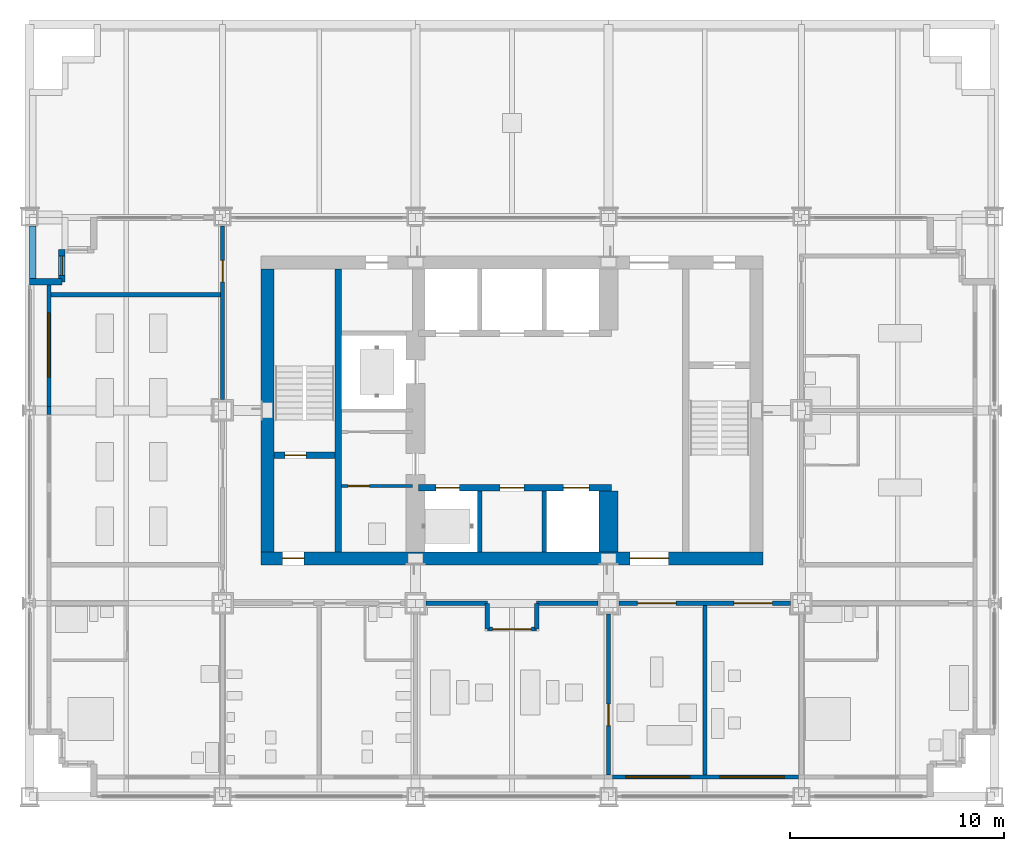
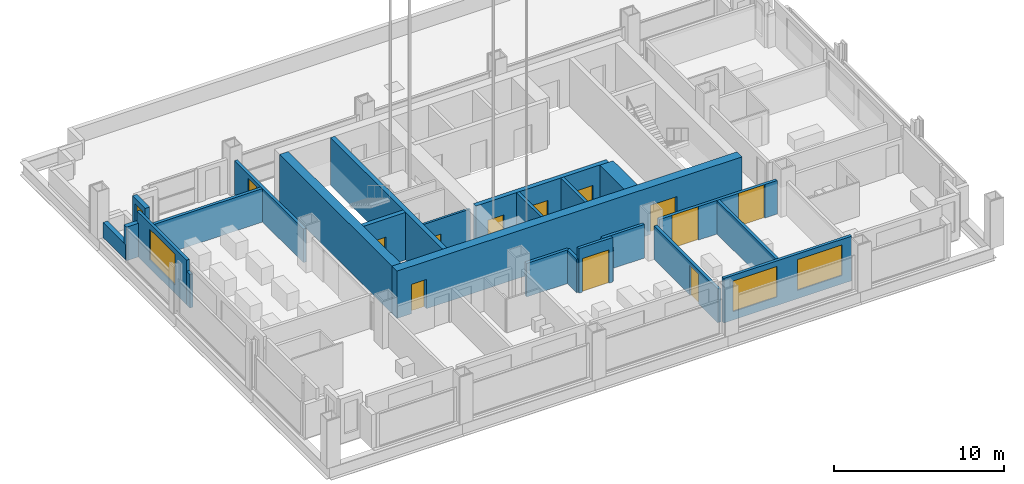
# One storey, part 8 of 15: 25 walls, 12 doors, 4 windows, 16 openings.
"""IFC4 building model written with IfcOpenShell, lengths in metres."""

import ifcopenshell
import ifcopenshell.guid

model = None  # the IFC model being written
_history = None  # IfcOwnerHistory: only IFC2X3 demands one
_inside = {}  # id of a spatial element -> (the spatial element, [elements in it])
_under = {}  # id of a project, library or spatial element -> (it, [spatial elements below it])
_declared = {}  # id of a project -> (the project, [libraries it declares])
_typed = {}  # id of a type object -> (the type object, [elements of that type])
_made_of = {}  # id of a material, layer set ... -> (it, [elements and type objects made of it])


def new_model(schema):
    """Start an empty IFC model of exactly this schema.

    Asked for "IFC4X3", IfcOpenShell would pick the latest addendum, in which some entities
    have other attributes; the version numbers below select the first issue.
    IFC2X3 requires an IfcOwnerHistory on every rooted entity: one is made here for all.
    """
    global model, _history
    if schema == "IFC4X3":
        model = ifcopenshell.file(schema_version=(4, 3, 0, 0))
    else:
        model = ifcopenshell.file(schema=schema)
    _inside.clear()
    _under.clear()
    _declared.clear()
    _typed.clear()
    _made_of.clear()
    _history = None
    if model.schema == "IFC2X3":
        org = make("IfcOrganization", Name="unknown")
        user = make(
            "IfcPersonAndOrganization",
            ThePerson=make("IfcPerson", FamilyName="unknown"),
            TheOrganization=org,
        )
        app = make(
            "IfcApplication",
            ApplicationDeveloper=org,
            Version="unknown",
            ApplicationFullName="unknown",
            ApplicationIdentifier="unknown",
        )
        _history = make(
            "IfcOwnerHistory",
            OwningUser=user,
            OwningApplication=app,
            ChangeAction="ADDED",
            CreationDate=0,
        )
    return model


def make(cls, **values):
    """One entity of the class cls with the attributes given. An attribute that is None is left unset."""
    return model.create_entity(
        cls, **{name: value for name, value in values.items() if value is not None}
    )


def rooted(cls, **values):
    """An entity with a GlobalId (a new one), such as an element, a storey or a relation."""
    return make(cls, GlobalId=ifcopenshell.guid.new(), OwnerHistory=_history, **values)


def si_unit(unit_type, name, prefix=None):
    """IfcSIUnit, for example si_unit("LENGTHUNIT", "METRE", prefix="MILLI")."""
    return make("IfcSIUnit", UnitType=unit_type, Prefix=prefix, Name=name)


def assignment(units):
    """IfcUnitAssignment: the units of a project."""
    return None if units is None else make("IfcUnitAssignment", Units=units)


def point(xyz):
    """IfcCartesianPoint."""
    return None if xyz is None else make("IfcCartesianPoint", Coordinates=xyz)


def direction(xyz):
    """IfcDirection."""
    return None if xyz is None else make("IfcDirection", DirectionRatios=xyz)


def frame(location, z_axis=None, x_axis=None):
    """IfcAxis2Placement3D, a coordinate frame: its origin and axes. An axis left out is left unset."""
    return make(
        "IfcAxis2Placement3D",
        Location=point(location),
        Axis=direction(z_axis),
        RefDirection=direction(x_axis),
    )


def frame_2d(location, x_axis=None):
    """IfcAxis2Placement2D, a coordinate frame in the plane: its origin and x axis."""
    return make(
        "IfcAxis2Placement2D", Location=point(location), RefDirection=direction(x_axis)
    )


def origin():
    """The frame at (0, 0, 0) with its axes left unset."""
    return frame((0.0, 0.0, 0.0))


def place(relative_to, where):
    """IfcLocalPlacement: puts the frame where relative to a parent placement (None: the world)."""
    return make(
        "IfcLocalPlacement", PlacementRelTo=relative_to, RelativePlacement=where
    )


def context(
    kind, dimensions, precision=None, world=None, true_north=None, identifier=None
):
    """IfcGeometricRepresentationContext, for example the 3D "Model" context."""
    return make(
        "IfcGeometricRepresentationContext",
        ContextIdentifier=identifier,
        ContextType=kind,
        CoordinateSpaceDimension=dimensions,
        Precision=precision,
        WorldCoordinateSystem=world,
        TrueNorth=true_north,
    )


def subcontext(parent, identifier, kind, view, scale=None):
    """IfcGeometricRepresentationSubContext, for example "Body" below "Model"."""
    return make(
        "IfcGeometricRepresentationSubContext",
        ContextIdentifier=identifier,
        ContextType=kind,
        ParentContext=parent,
        TargetScale=scale,
        TargetView=view,
    )


def project(units=None, contexts=None):
    """IfcProject with its units and contexts."""
    return rooted(
        "IfcProject",
        Name="project",
        RepresentationContexts=contexts,
        UnitsInContext=assignment(units),
    )


def spatial(cls, under=None, at=None, **own):
    """A site, building, storey or space (cls), placed at a placement, below another one or the project."""
    s = rooted(cls, ObjectPlacement=at, **own)
    if under is not None:
        _under.setdefault(under.id(), (under, []))[1].append(s)
    return s


def profile(cls, at=None, kind="AREA", **sizes):
    """A parametric profile (cls). Its sizes go by their IFC names, for example OverallWidth=200.0."""
    return make(cls, ProfileType=kind, Position=at, **sizes)


def rectangle(**sizes):
    """IfcRectangleProfileDef."""
    return profile("IfcRectangleProfileDef", **sizes)


def extrude(swept, where, along, depth):
    """IfcExtrudedAreaSolid: the profile swept, set in the frame where, extruded along a direction by depth."""
    return make(
        "IfcExtrudedAreaSolid",
        SweptArea=swept,
        Position=where,
        ExtrudedDirection=direction(along),
        Depth=depth,
    )


def shape(context_of_items, identifier, shape_type, items):
    """IfcShapeRepresentation: the items that make up one representation, for example the "Body"."""
    return make(
        "IfcShapeRepresentation",
        ContextOfItems=context_of_items,
        RepresentationIdentifier=identifier,
        RepresentationType=shape_type,
        Items=items,
    )


def material(Name=None, Category=None):
    """IfcMaterial."""
    return make("IfcMaterial", Name=Name, Category=Category)


def layer(
    of_material, thickness, ventilated=None, Name=None, Category=None, Priority=None
):
    """IfcMaterialLayer: one layer of a wall or slab, of a material (None: an air gap)."""
    return make(
        "IfcMaterialLayer",
        Material=of_material,
        LayerThickness=thickness,
        IsVentilated=ventilated,
        Name=Name,
        Category=Category,
        Priority=Priority,
    )


def layer_set(layers, Name=None):
    """IfcMaterialLayerSet."""
    return make("IfcMaterialLayerSet", MaterialLayers=layers, LayerSetName=Name)


def made_of(thing, what):
    """Note that an element or type object is made of a material, layer set ...; save() writes the relation."""
    if what is not None:
        _made_of.setdefault(what.id(), (what, []))[1].append(thing)
    return thing


def type_object(cls, material=None, **own):
    """A type object (cls), such as IfcWallType, which elements share."""
    return made_of(rooted(cls, **own), material)


def element(
    cls,
    number,
    at=None,
    inside=None,
    cuts=None,
    type_object=None,
    material=None,
    context=None,
    identifier="Body",
    shape_type=None,
    held_by="IfcProductDefinitionShape",
    body=None,
    shapes=None,
    **own,
):
    """One element of the class cls, such as IfcWall. Its Tag is "e" and its number.

    at: its placement. inside: the storey or other place that contains it. cuts: it is an
    opening in that element (IfcRelVoidsElement). A single representation is given by context,
    identifier, shape_type and body (its items); several are given by shapes. held_by: the class
    of the entity that holds the representations. save() writes the other relations.
    """
    e = rooted(cls, Tag="e%d" % number, ObjectPlacement=at, **own)
    if body is not None:
        shapes = [shape(context, identifier, shape_type, body)]
    if shapes is not None:
        e.Representation = make(held_by, Representations=shapes)
    if inside is not None:
        _inside.setdefault(inside.id(), (inside, []))[1].append(e)
    if cuts is not None:
        rooted(
            "IfcRelVoidsElement", RelatingBuildingElement=cuts, RelatedOpeningElement=e
        )
    if type_object is not None:
        _typed.setdefault(type_object.id(), (type_object, []))[1].append(e)
    return made_of(e, material)


def fill(opening, filler):
    """IfcRelFillsElement: the door or window that sits in an opening."""
    return rooted(
        "IfcRelFillsElement",
        RelatingOpeningElement=opening,
        RelatedBuildingElement=filler,
    )


def aggregate(whole, parts):
    """IfcRelAggregates: a whole, such as a stair, and the parts it consists of."""
    return rooted("IfcRelAggregates", RelatingObject=whole, RelatedObjects=parts)


def save(model, path):
    """Write the relations noted so far, then the file.

    IfcRelAggregates (storeys below a building ...), IfcRelContainedInSpatialStructure (elements
    in a storey), IfcRelDefinesByType, IfcRelAssociatesMaterial and IfcRelDeclares: one each for
    every whole, place, type object, material and project.
    """
    for whole, parts in _under.values():
        aggregate(whole, parts)
    for where, things in _inside.values():
        rooted(
            "IfcRelContainedInSpatialStructure",
            RelatedElements=things,
            RelatingStructure=where,
        )
    for kind, things in _typed.values():
        rooted("IfcRelDefinesByType", RelatedObjects=things, RelatingType=kind)
    for what, things in _made_of.values():
        rooted("IfcRelAssociatesMaterial", RelatedObjects=things, RelatingMaterial=what)
    for by, libraries in _declared.values():
        rooted("IfcRelDeclares", RelatingContext=by, RelatedDefinitions=libraries)
    model.write(path)


model = new_model("IFC4")

# Units and contexts
model_context = context("Model", 3, precision=1e-05, world=origin(), true_north=direction((0.0, 1.0)))
body_context = subcontext(model_context, "Body", "Model", "MODEL_VIEW")
ifc_project = project(units=[si_unit("LENGTHUNIT", "METRE"), si_unit("AREAUNIT", "SQUARE_METRE"), si_unit("VOLUMEUNIT", "CUBIC_METRE"), si_unit("PLANEANGLEUNIT", "RADIAN"), si_unit("MASSUNIT", "GRAM", prefix="KILO")], contexts=[model_context])

# Site, building, storey
site_placement = place(None, origin())
site = spatial("IfcSite", under=ifc_project, at=site_placement, CompositionType="ELEMENT")
building_placement = place(site_placement, origin())
building = spatial("IfcBuilding", under=site, at=building_placement, Name="Loomwork Tower", CompositionType="ELEMENT")
storey_placement = place(building_placement, frame((0.0, 0.0, 160.39990234375)))
storey = spatial("IfcBuildingStorey", under=building, at=storey_placement, Name="L43", CompositionType="ELEMENT", Elevation=160.39990234375)

# Wall
ifc_material_1 = material(Name="Concrete 14000 psi (97 MPa)", Category="concrete")
ifc_layer_1 = layer(ifc_material_1, 0.300048828125)
ifc_layer_set_1 = layer_set([ifc_layer_1], Name="Core shear wall 300")
wall_type_1 = type_object("IfcWallType", Name="Core shear wall 300", PredefinedType="SHEAR", material=ifc_layer_set_1)
wall_1_placement = place(storey_placement, frame((14.39990234375, 11.39990234375, 0.0), z_axis=(0.0, 0.0, 1.0), x_axis=(0.0, 1.0, 0.0)))
element("IfcWall", 1, at=wall_1_placement, inside=storey, type_object=wall_type_1, Name="Stair A east wall L43", PredefinedType="SHEAR", context=body_context, shape_type="SweptSolid", body=[
    extrude(rectangle(XDim=13.2001953125, YDim=0.300048828125, at=frame_2d((6.60009765625, 0.0))), origin(), (0.0, 0.0, 1.0), 3.400146484375),
])

# Wall, opening, door
wall_2_placement = place(storey_placement, frame((11.39990234375, 15.89990234375, 0.0), z_axis=(0.0, 0.0, 1.0), x_axis=(1.0, 0.0, 0.0)))
wall_2 = element("IfcWall", 2, at=wall_2_placement, inside=storey, type_object=wall_type_1, Name="Stair A south wall L43", PredefinedType="SHEAR", context=body_context, shape_type="SweptSolid", body=[
    extrude(rectangle(XDim=2.85009765625, YDim=0.300048828125, at=frame_2d((1.425048828125, 0.0))), origin(), (0.0, 0.0, 1.0), 3.400146484375),
])
opening_1_placement = place(wall_2_placement, frame((0.5, 0.0, 0.0)))
opening_1 = element("IfcOpeningElement", 3, at=opening_1_placement, cuts=wall_2, Name="Opening D4", PredefinedType="OPENING", context=body_context, shape_type="SweptSolid", body=[
    extrude(rectangle(XDim=1.0, YDim=2.10009765625, at=frame_2d((0.5, 1.050048828125))), frame((0.0, 0.159912109375, 0.0), z_axis=(0.0, -1.0, 0.0), x_axis=(1.0, 0.0, 0.0)), (0.0, 0.0, 1.0), 0.320068359375),
])
ifc_material_2 = material(Name="Hollow metal door and frame")
door_type_1 = type_object("IfcDoorType", Name="Stair door 1000", OperationType="SINGLE_SWING_RIGHT", PredefinedType="DOOR", material=ifc_material_2)
door_1_placement = place(opening_1_placement, origin())
door_1 = element("IfcDoor", 4, at=door_1_placement, inside=storey, type_object=door_type_1, Name="Stair A door", OperationType="SINGLE_SWING_LEFT", OverallHeight=2.10009765625, OverallWidth=1.0, PredefinedType="DOOR", context=body_context, shape_type="SweptSolid", body=[
    extrude(rectangle(XDim=1.0, YDim=2.10009765625, at=frame_2d((0.5, 1.050048828125))), frame((0.0, 0.02490234375, 0.0), z_axis=(0.0, -1.0, 0.0), x_axis=(1.0, 0.0, 0.0)), (0.0, 0.0, 1.0), 0.050048828125),
])
fill(opening_1, door_1)

# Wall, openings, doors
wall_3_placement = place(storey_placement, frame((18.14990234375, 14.39990234375, 0.0), z_axis=(0.0, 0.0, 1.0), x_axis=(1.0, 0.0, 0.0)))
wall_3 = element("IfcWall", 5, at=wall_3_placement, inside=storey, type_object=wall_type_1, Name="Lift front wall south L43", PredefinedType="SHEAR", context=body_context, shape_type="SweptSolid", body=[
    extrude(rectangle(XDim=9.0, YDim=0.300048828125, at=frame_2d((4.5, 0.0))), origin(), (0.0, 0.0, 1.0), 3.400146484375),
])
opening_2_placement = place(wall_3_placement, frame((0.800048828125, 0.0, 0.0)))
opening_2 = element("IfcOpeningElement", 6, at=opening_2_placement, cuts=wall_3, Name="Opening LD1", PredefinedType="OPENING", context=body_context, shape_type="SweptSolid", body=[
    extrude(rectangle(XDim=1.10009765625, YDim=2.10009765625, at=frame_2d((0.550048828125, 1.050048828125))), frame((0.0, 0.159912109375, 0.0), z_axis=(0.0, -1.0, 0.0), x_axis=(1.0, 0.0, 0.0)), (0.0, 0.0, 1.0), 0.320068359375),
])
opening_3_placement = place(wall_3_placement, frame((6.75, 0.0, 0.0)))
opening_3 = element("IfcOpeningElement", 7, at=opening_3_placement, cuts=wall_3, Name="Opening LD2", PredefinedType="OPENING", context=body_context, shape_type="SweptSolid", body=[
    extrude(rectangle(XDim=1.199951171875, YDim=2.10009765625, at=frame_2d((0.60009765625, 1.050048828125))), frame((0.0, 0.159912109375, 0.0), z_axis=(0.0, -1.0, 0.0), x_axis=(1.0, 0.0, 0.0)), (0.0, 0.0, 1.0), 0.320068359375),
])
opening_4_placement = place(wall_3_placement, frame((3.800048828125, 0.0, 0.0)))
opening_4 = element("IfcOpeningElement", 8, at=opening_4_placement, cuts=wall_3, Name="Opening D17", PredefinedType="OPENING", context=body_context, shape_type="SweptSolid", body=[
    extrude(rectangle(XDim=1.10009765625, YDim=2.10009765625, at=frame_2d((0.550048828125, 1.050048828125))), frame((0.0, 0.159912109375, 0.0), z_axis=(0.0, -1.0, 0.0), x_axis=(1.0, 0.0, 0.0)), (0.0, 0.0, 1.0), 0.320068359375),
])
ifc_material_3 = material(Name="Hollow metal door and frame")
door_type_2 = type_object("IfcDoorType", Name="Lift landing door 1100", OperationType="SLIDING_TO_LEFT", PredefinedType="DOOR", material=ifc_material_3)
door_2_placement = place(opening_2_placement, origin())
door_2 = element("IfcDoor", 9, at=door_2_placement, inside=storey, type_object=door_type_2, Name="Lift landing door LC1", OperationType="SLIDING_TO_LEFT", OverallHeight=2.10009765625, OverallWidth=1.10009765625, PredefinedType="DOOR", context=body_context, shape_type="SweptSolid", body=[
    extrude(rectangle(XDim=1.10009765625, YDim=2.10009765625, at=frame_2d((0.550048828125, 1.050048828125))), frame((0.0, 0.02490234375, 0.0), z_axis=(0.0, -1.0, 0.0), x_axis=(1.0, 0.0, 0.0)), (0.0, 0.0, 1.0), 0.050048828125),
])
fill(opening_2, door_2)
ifc_material_4 = material(Name="Hollow metal door and frame")
door_type_3 = type_object("IfcDoorType", Name="Lift landing door 1200", OperationType="SLIDING_TO_LEFT", PredefinedType="DOOR", material=ifc_material_4)
door_3_placement = place(opening_3_placement, origin())
door_3 = element("IfcDoor", 10, at=door_3_placement, inside=storey, type_object=door_type_3, Name="Lift landing door LF1", OperationType="SLIDING_TO_LEFT", OverallHeight=2.10009765625, OverallWidth=1.199951171875, PredefinedType="DOOR", context=body_context, shape_type="SweptSolid", body=[
    extrude(rectangle(XDim=1.199951171875, YDim=2.10009765625, at=frame_2d((0.60009765625, 1.050048828125))), frame((0.0, 0.02490234375, 0.0), z_axis=(0.0, -1.0, 0.0), x_axis=(1.0, 0.0, 0.0)), (0.0, 0.0, 1.0), 0.050048828125),
])
fill(opening_3, door_3)
ifc_material_5 = material(Name="Hollow metal door and frame")
door_type_4 = type_object("IfcDoorType", Name="Service room door 1100", OperationType="SINGLE_SWING_LEFT", PredefinedType="DOOR", material=ifc_material_5)
door_4_placement = place(opening_4_placement, frame((1.10009765625, 0.0, 0.0), z_axis=(0.0, 0.0, 1.0), x_axis=(-1.0, 0.0, 0.0)))
door_4 = element("IfcDoor", 11, at=door_4_placement, inside=storey, type_object=door_type_4, Name="Housekeeping store door L43", OperationType="SINGLE_SWING_RIGHT", OverallHeight=2.10009765625, OverallWidth=1.10009765625, PredefinedType="DOOR", context=body_context, shape_type="SweptSolid", body=[
    extrude(rectangle(XDim=1.10009765625, YDim=2.10009765625, at=frame_2d((0.550048828125, 1.050048828125))), frame((0.0, 0.02490234375, 0.0), z_axis=(0.0, -1.0, 0.0), x_axis=(1.0, 0.0, 0.0)), (0.0, 0.0, 1.0), 0.050048828125),
])
fill(opening_4, door_4)

ifc_material_6 = material(Name="Concrete 14000 psi (97 MPa)", Category="concrete")
ifc_layer_2 = layer(ifc_material_6, 0.60009765625)
ifc_layer_set_2 = layer_set([ifc_layer_2], Name="Core shear wall 600")
wall_type_2 = type_object("IfcWallType", Name="Core shear wall 600", PredefinedType="SHEAR", material=ifc_layer_set_2)
wall_4_placement = place(storey_placement, frame((10.800048828125, 11.10009765625, 0.0), z_axis=(0.0, 0.0, 1.0), x_axis=(1.0, 0.0, 0.0)))
wall_4 = element("IfcWall", 12, at=wall_4_placement, inside=storey, type_object=wall_type_2, Name="Core wall south L43", PredefinedType="SHEAR", context=body_context, shape_type="SweptSolid", body=[
    extrude(rectangle(XDim=23.39990234375, YDim=0.60009765625, at=frame_2d((11.699951171875, 0.0))), origin(), (0.0, 0.0, 1.0), 3.400146484375),
])
opening_5_placement = place(wall_4_placement, frame((1.0, 0.0, 0.0)))
opening_5 = element("IfcOpeningElement", 13, at=opening_5_placement, cuts=wall_4, Name="Opening D4", PredefinedType="OPENING", context=body_context, shape_type="SweptSolid", body=[
    extrude(rectangle(XDim=1.0, YDim=2.10009765625, at=frame_2d((0.5, 1.050048828125))), frame((0.0, 0.31005859375, 0.0), z_axis=(0.0, -1.0, 0.0), x_axis=(1.0, 0.0, 0.0)), (0.0, 0.0, 1.0), 0.6201171875),
])
opening_6_placement = place(wall_4_placement, frame((17.199951171875, 0.0, 0.0)))
opening_6 = element("IfcOpeningElement", 14, at=opening_6_placement, cuts=wall_4, Name="Opening D6", PredefinedType="OPENING", context=body_context, shape_type="SweptSolid", body=[
    extrude(rectangle(XDim=1.800048828125, YDim=2.10009765625, at=frame_2d((0.89990234375, 1.050048828125))), frame((0.0, 0.31005859375, 0.0), z_axis=(0.0, -1.0, 0.0), x_axis=(1.0, 0.0, 0.0)), (0.0, 0.0, 1.0), 0.6201171875),
])
ifc_material_7 = material(Name="Hollow metal door and frame")
door_type_5 = type_object("IfcDoorType", Name="Lobby passage double door 1800", OperationType="DOUBLE_DOOR_SINGLE_SWING", PredefinedType="DOOR", material=ifc_material_7)
door_5_placement = place(opening_6_placement, origin())
door_5 = element("IfcDoor", 15, at=door_5_placement, inside=storey, type_object=door_type_5, Name="Lobby passage door south", OperationType="DOUBLE_DOOR_SINGLE_SWING", OverallHeight=2.10009765625, OverallWidth=1.800048828125, PredefinedType="DOOR", context=body_context, shape_type="SweptSolid", body=[
    extrude(rectangle(XDim=1.800048828125, YDim=2.10009765625, at=frame_2d((0.89990234375, 1.050048828125))), frame((0.0, 0.02490234375, 0.0), z_axis=(0.0, -1.0, 0.0), x_axis=(1.0, 0.0, 0.0)), (0.0, 0.0, 1.0), 0.050048828125),
])
fill(opening_6, door_5)
door_6_placement = place(opening_5_placement, origin())
door_6 = element("IfcDoor", 16, at=door_6_placement, inside=storey, type_object=door_type_1, Name="Stair A vestibule door", OperationType="SINGLE_SWING_LEFT", OverallHeight=2.10009765625, OverallWidth=1.0, PredefinedType="DOOR", context=body_context, shape_type="SweptSolid", body=[
    extrude(rectangle(XDim=1.0, YDim=2.10009765625, at=frame_2d((0.5, 1.050048828125))), frame((0.0, 0.02490234375, 0.0), z_axis=(0.0, -1.0, 0.0), x_axis=(1.0, 0.0, 0.0)), (0.0, 0.0, 1.0), 0.050048828125),
])
fill(opening_5, door_6)

# Walls
wall_5_placement = place(storey_placement, frame((11.10009765625, 11.39990234375, 0.0), z_axis=(0.0, 0.0, 1.0), x_axis=(0.0, 1.0, 0.0)))
element("IfcWall", 17, at=wall_5_placement, inside=storey, type_object=wall_type_2, Name="Core wall west L43", PredefinedType="SHEAR", context=body_context, shape_type="SweptSolid", body=[
    extrude(rectangle(XDim=13.2001953125, YDim=0.60009765625, at=frame_2d((6.60009765625, 0.0))), origin(), (0.0, 0.0, 1.0), 3.400146484375),
])
ifc_material_8 = material(Name="Concrete 14000 psi (97 MPa)", Category="concrete")
ifc_layer_3 = layer(ifc_material_8, 0.89990234375)
ifc_layer_set_3 = layer_set([ifc_layer_3], Name="Core shear wall 900")
wall_type_3 = type_object("IfcWallType", Name="Core shear wall 900", PredefinedType="SHEAR", material=ifc_layer_set_3)
wall_6_placement = place(storey_placement, frame((27.0, 11.39990234375, 0.0), z_axis=(0.0, 0.0, 1.0), x_axis=(0.0, 1.0, 0.0)))
element("IfcWall", 18, at=wall_6_placement, inside=storey, type_object=wall_type_3, Name="Lift shaft end wall south L43", PredefinedType="SHEAR", context=body_context, shape_type="SweptSolid", body=[
    extrude(rectangle(XDim=2.85009765625, YDim=0.89990234375, at=frame_2d((1.425048828125, 0.0))), origin(), (0.0, 0.0, 1.0), 3.400146484375),
])
ifc_material_9 = material(Name="Gypsum board on steel studs, one-hour", Category="steel")
ifc_layer_4 = layer(ifc_material_9, 0.199951171875)
ifc_layer_set_4 = layer_set([ifc_layer_4], Name="Corridor wall 200")
wall_type_4 = type_object("IfcWallType", Name="Corridor wall 200", PredefinedType="PARTITIONING", material=ifc_layer_set_4)
wall_7_placement = place(storey_placement, frame((18.5, 9.0, 0.0), z_axis=(0.0, 0.0, 1.0), x_axis=(1.0, 0.0, 0.0)))
element("IfcWall", 19, at=wall_7_placement, inside=storey, type_object=wall_type_4, Name="South corridor wall 3", PredefinedType="PARTITIONING", context=body_context, shape_type="SweptSolid", body=[
    extrude(rectangle(XDim=2.85009765625, YDim=0.199951171875, at=frame_2d((1.425048828125, 0.0))), origin(), (0.0, 0.0, 1.0), 2.405029296875),
])

# Wall, openings, doors
wall_8_placement = place(storey_placement, frame((27.5, 9.0, 0.0), z_axis=(0.0, 0.0, 1.0), x_axis=(1.0, 0.0, 0.0)))
wall_8 = element("IfcWall", 20, at=wall_8_placement, inside=storey, type_object=wall_type_4, Name="South corridor wall 4", PredefinedType="PARTITIONING", context=body_context, shape_type="SweptSolid", body=[
    extrude(rectangle(XDim=8.0, YDim=0.199951171875, at=frame_2d((4.0, 0.0))), origin(), (0.0, 0.0, 1.0), 2.405029296875),
])
opening_7_placement = place(wall_8_placement, frame((0.85009765625, 0.0, 0.0)))
opening_7 = element("IfcOpeningElement", 21, at=opening_7_placement, cuts=wall_8, Name="Opening D16", PredefinedType="OPENING", context=body_context, shape_type="SweptSolid", body=[
    extrude(rectangle(XDim=1.800048828125, YDim=2.39990234375, at=frame_2d((0.89990234375, 1.199951171875))), frame((0.0, 0.10986328125, 0.0), z_axis=(0.0, -1.0, 0.0), x_axis=(1.0, 0.0, 0.0)), (0.0, 0.0, 1.0), 0.219970703125),
])
opening_8_placement = place(wall_8_placement, frame((5.35009765625, 0.0, 0.0)))
opening_8 = element("IfcOpeningElement", 22, at=opening_8_placement, cuts=wall_8, Name="Opening D16", PredefinedType="OPENING", context=body_context, shape_type="SweptSolid", body=[
    extrude(rectangle(XDim=1.800048828125, YDim=2.39990234375, at=frame_2d((0.89990234375, 1.199951171875))), frame((0.0, 0.10986328125, 0.0), z_axis=(0.0, -1.0, 0.0), x_axis=(1.0, 0.0, 0.0)), (0.0, 0.0, 1.0), 0.219970703125),
])
ifc_material_10 = material(Name="Hollow metal door and frame")
door_type_6 = type_object("IfcDoorType", Name="Fire-rated double door 1800", OperationType="DOUBLE_DOOR_SINGLE_SWING", PredefinedType="DOOR", material=ifc_material_10)
door_7_placement = place(opening_7_placement, origin())
door_7 = element("IfcDoor", 23, at=door_7_placement, inside=storey, type_object=door_type_6, Name="Sky lobby door L43", OperationType="DOUBLE_DOOR_SINGLE_SWING", OverallHeight=2.39990234375, OverallWidth=1.800048828125, PredefinedType="DOOR", context=body_context, shape_type="SweptSolid", body=[
    extrude(rectangle(XDim=1.800048828125, YDim=2.39990234375, at=frame_2d((0.89990234375, 1.199951171875))), frame((0.0, 0.02490234375, 0.0), z_axis=(0.0, -1.0, 0.0), x_axis=(1.0, 0.0, 0.0)), (0.0, 0.0, 1.0), 0.050048828125),
])
fill(opening_7, door_7)
door_8_placement = place(opening_8_placement, frame((1.800048828125, 0.0, 0.0), z_axis=(0.0, 0.0, 1.0), x_axis=(-1.0, 0.0, 0.0)))
door_8 = element("IfcDoor", 24, at=door_8_placement, inside=storey, type_object=door_type_6, Name="Business centre door L43", OperationType="DOUBLE_DOOR_SINGLE_SWING", OverallHeight=2.39990234375, OverallWidth=1.800048828125, PredefinedType="DOOR", context=body_context, shape_type="SweptSolid", body=[
    extrude(rectangle(XDim=1.800048828125, YDim=2.39990234375, at=frame_2d((0.89990234375, 1.199951171875))), frame((0.0, 0.02490234375, 0.0), z_axis=(0.0, -1.0, 0.0), x_axis=(1.0, 0.0, 0.0)), (0.0, 0.0, 1.0), 0.050048828125),
])
fill(opening_8, door_8)

# Wall, opening, door
wall_9_placement = place(storey_placement, frame((9.0, 18.5, 0.0), z_axis=(0.0, 0.0, 1.0), x_axis=(0.0, 1.0, 0.0)))
wall_9 = element("IfcWall", 25, at=wall_9_placement, inside=storey, type_object=wall_type_4, Name="West corridor wall 2", PredefinedType="PARTITIONING", context=body_context, shape_type="SweptSolid", body=[
    extrude(rectangle(XDim=8.10009765625, YDim=0.199951171875, at=frame_2d((4.050048828125, 0.0))), origin(), (0.0, 0.0, 1.0), 2.405029296875),
])
opening_9_placement = place(wall_9_placement, frame((5.5, 0.0, 0.0)))
opening_9 = element("IfcOpeningElement", 26, at=opening_9_placement, cuts=wall_9, Name="Opening D15", PredefinedType="OPENING", context=body_context, shape_type="SweptSolid", body=[
    extrude(rectangle(XDim=1.0, YDim=2.10009765625, at=frame_2d((0.5, 1.050048828125))), frame((0.0, 0.10986328125, 0.0), z_axis=(0.0, -1.0, 0.0), x_axis=(1.0, 0.0, 0.0)), (0.0, 0.0, 1.0), 0.219970703125),
])
ifc_material_11 = material(Name="Hollow metal door and frame")
door_type_7 = type_object("IfcDoorType", Name="Fire-rated room door 1000", OperationType="SINGLE_SWING_LEFT", PredefinedType="DOOR", material=ifc_material_11)
door_9_placement = place(opening_9_placement, origin())
door_9 = element("IfcDoor", 27, at=door_9_placement, inside=storey, type_object=door_type_7, Name="Roof maintenance access door L43", OperationType="SINGLE_SWING_LEFT", OverallHeight=2.10009765625, OverallWidth=1.0, PredefinedType="DOOR", context=body_context, shape_type="SweptSolid", body=[
    extrude(rectangle(XDim=1.0, YDim=2.10009765625, at=frame_2d((0.5, 1.050048828125))), frame((0.0, 0.02490234375, 0.0), z_axis=(0.0, -1.0, 0.0), x_axis=(1.0, 0.0, 0.0)), (0.0, 0.0, 1.0), 0.050048828125),
])
fill(opening_9, door_9)

# Walls
wall_10_placement = place(storey_placement, frame((23.64990234375, 9.0, 0.0), z_axis=(0.0, 0.0, 1.0), x_axis=(1.0, 0.0, 0.0)))
element("IfcWall", 28, at=wall_10_placement, inside=storey, type_object=wall_type_4, Name="South corridor wall 3", PredefinedType="PARTITIONING", context=body_context, shape_type="SweptSolid", body=[
    extrude(rectangle(XDim=2.85009765625, YDim=0.199951171875, at=frame_2d((1.425048828125, 0.0))), origin(), (0.0, 0.0, 1.0), 2.405029296875),
])
for number, where, z_axis, x_axis, name in (
    (29, (21.35009765625, 9.0, 0.0), (0.0, 0.0, 1.0), (0.0, -1.0, 0.0), "Sky lounge door L43 alcove wall"),
    (30, (23.64990234375, 9.0, 0.0), (0.0, 0.0, 1.0), (0.0, -1.0, 0.0), "Sky lounge door L43 alcove wall"),
):
    element("IfcWall", number, at=place(storey_placement, frame(where, z_axis=z_axis, x_axis=x_axis)), inside=storey, type_object=wall_type_4, Name=name, PredefinedType="PARTITIONING", context=body_context, shape_type="SweptSolid", body=[
        extrude(rectangle(XDim=1.199951171875, YDim=0.199951171875, at=frame_2d((0.60009765625, 0.0))), origin(), (0.0, 0.0, 1.0), 2.404052734375),
    ])

# Wall, opening, door
wall_11_placement = place(storey_placement, frame((21.35009765625, 7.800048828125, 0.0), z_axis=(0.0, 0.0, 1.0), x_axis=(1.0, 0.0, 0.0)))
wall_11 = element("IfcWall", 31, at=wall_11_placement, inside=storey, type_object=wall_type_4, Name="Sky lounge door L43 alcove wall", PredefinedType="PARTITIONING", context=body_context, shape_type="SweptSolid", body=[
    extrude(rectangle(XDim=2.2998046875, YDim=0.199951171875, at=frame_2d((1.14990234375, 0.0))), origin(), (0.0, 0.0, 1.0), 3.2001953125),
])
opening_10_placement = place(wall_11_placement, frame((0.25, 0.0, 0.0)))
opening_10 = element("IfcOpeningElement", 32, at=opening_10_placement, cuts=wall_11, Name="Opening D16", PredefinedType="OPENING", context=body_context, shape_type="SweptSolid", body=[
    extrude(rectangle(XDim=1.800048828125, YDim=2.39990234375, at=frame_2d((0.89990234375, 1.199951171875))), frame((0.0, 0.10986328125, 0.0), z_axis=(0.0, -1.0, 0.0), x_axis=(1.0, 0.0, 0.0)), (0.0, 0.0, 1.0), 0.219970703125),
])
door_10_placement = place(opening_10_placement, frame((1.800048828125, 0.0, 0.0), z_axis=(0.0, 0.0, 1.0), x_axis=(-1.0, 0.0, 0.0)))
door_10 = element("IfcDoor", 33, at=door_10_placement, inside=storey, type_object=door_type_6, Name="Sky lounge door L43", OperationType="DOUBLE_DOOR_SINGLE_SWING", OverallHeight=2.39990234375, OverallWidth=1.800048828125, PredefinedType="DOOR", context=body_context, shape_type="SweptSolid", body=[
    extrude(rectangle(XDim=1.800048828125, YDim=2.39990234375, at=frame_2d((0.89990234375, 1.199951171875))), frame((0.0, 0.02490234375, 0.0), z_axis=(0.0, -1.0, 0.0), x_axis=(1.0, 0.0, 0.0)), (0.0, 0.0, 1.0), 0.050048828125),
])
fill(opening_10, door_10)

ifc_material_12 = material(Name="Gypsum board on steel studs, acoustic", Category="steel")
ifc_layer_5 = layer(ifc_material_12, 0.199951171875)
ifc_layer_set_5 = layer_set([ifc_layer_5], Name="Guest room party wall 200")
wall_type_5 = type_object("IfcWallType", Name="Guest room party wall 200", PredefinedType="PARTITIONING", material=ifc_layer_set_5)
wall_12_placement = place(storey_placement, frame((27.0, 8.5, 0.0), z_axis=(0.0, 0.0, 1.0), x_axis=(0.0, -1.0, 0.0)))
wall_12 = element("IfcWall", 34, at=wall_12_placement, inside=storey, type_object=wall_type_5, Name="Guest room party wall S 27", PredefinedType="PARTITIONING", context=body_context, shape_type="SweptSolid", body=[
    extrude(rectangle(XDim=7.5, YDim=0.199951171875, at=frame_2d((3.75, 0.0))), origin(), (0.0, 0.0, 1.0), 2.405029296875),
])
opening_11_placement = place(wall_12_placement, frame((4.199951171875, 0.0, 0.0)))
opening_11 = element("IfcOpeningElement", 35, at=opening_11_placement, cuts=wall_12, Name="Opening D7", PredefinedType="OPENING", context=body_context, shape_type="SweptSolid", body=[
    extrude(rectangle(XDim=1.0, YDim=2.10009765625, at=frame_2d((0.5, 1.050048828125))), frame((0.0, 0.10986328125, 0.0), z_axis=(0.0, -1.0, 0.0), x_axis=(1.0, 0.0, 0.0)), (0.0, 0.0, 1.0), 0.219970703125),
])
ifc_material_13 = material(Name="Hollow metal door and frame")
door_type_8 = type_object("IfcDoorType", Name="Room door 1000", OperationType="SINGLE_SWING_LEFT", PredefinedType="DOOR", material=ifc_material_13)
door_11_placement = place(opening_11_placement, frame((1.0, 0.0, 0.0), z_axis=(0.0, 0.0, 1.0), x_axis=(-1.0, 0.0, 0.0)))
door_11 = element("IfcDoor", 36, at=door_11_placement, inside=storey, type_object=door_type_8, Name="Suite connecting door L43 S 27", OperationType="SINGLE_SWING_LEFT", OverallHeight=2.10009765625, OverallWidth=1.0, PredefinedType="DOOR", context=body_context, shape_type="SweptSolid", body=[
    extrude(rectangle(XDim=1.0, YDim=2.10009765625, at=frame_2d((0.5, 1.050048828125))), frame((0.0, 0.02490234375, 0.0), z_axis=(0.0, -1.0, 0.0), x_axis=(1.0, 0.0, 0.0)), (0.0, 0.0, 1.0), 0.050048828125),
])
fill(opening_11, door_11)

# Walls
wall_13_placement = place(storey_placement, frame((31.5, 9.10009765625, 0.0), z_axis=(0.0, 0.0, 1.0), x_axis=(0.0, -1.0, 0.0)))
element("IfcWall", 37, at=wall_13_placement, inside=storey, type_object=wall_type_5, Name="Sky lobby partition S 31.5", PredefinedType="PARTITIONING", context=body_context, shape_type="SweptSolid", body=[
    extrude(rectangle(XDim=8.10009765625, YDim=0.199951171875, at=frame_2d((4.050048828125, 0.0))), origin(), (0.0, 0.0, 1.0), 2.404052734375),
])
wall_14_placement = place(storey_placement, frame((8.89990234375, 23.39990234375, 0.0), z_axis=(0.0, 0.0, 1.0), x_axis=(-1.0, 0.0, 0.0)))
element("IfcWall", 38, at=wall_14_placement, inside=storey, type_object=wall_type_5, Name="Roof maintenance access wall", PredefinedType="PARTITIONING", context=body_context, shape_type="SweptSolid", body=[
    extrude(rectangle(XDim=7.89990234375, YDim=0.199951171875, at=frame_2d((3.949951171875, 0.0))), origin(), (0.0, 0.0, 1.0), 2.404052734375),
])

# Wall, openings, windows
ifc_material_14 = material(Name="Insulated steel stud wall with gypsum lining", Category="steel")
ifc_layer_6 = layer(ifc_material_14, 0.199951171875)
ifc_layer_set_6 = layer_set([ifc_layer_6], Name="Inner skin wall 200")
wall_type_6 = type_object("IfcWallType", Name="Inner skin wall 200", PredefinedType="SOLIDWALL", material=ifc_layer_set_6)
wall_15_placement = place(storey_placement, frame((27.19384765625, 0.89990234375, 0.0), z_axis=(0.0, 0.0, 1.0), x_axis=(1.0, 0.0, 0.0)))
wall_15 = element("IfcWall", 39, at=wall_15_placement, inside=storey, type_object=wall_type_6, Name="Inner skin wall S bay 7", PredefinedType="SOLIDWALL", context=body_context, shape_type="SweptSolid", body=[
    extrude(rectangle(XDim=8.670654296875, YDim=0.199951171875, at=frame_2d((4.33544921875, 0.0))), origin(), (0.0, 0.0, 1.0), 3.2001953125),
])
opening_12_placement = place(wall_15_placement, frame((0.606201171875, 0.0, 0.60009765625)))
opening_12 = element("IfcOpeningElement", 40, at=opening_12_placement, cuts=wall_15, Name="Opening CH1", PredefinedType="OPENING", context=body_context, shape_type="SweptSolid", body=[
    extrude(rectangle(XDim=3.0, YDim=2.199951171875, at=frame_2d((1.5, 1.10009765625))), frame((0.0, 0.10986328125, 0.0), z_axis=(0.0, -1.0, 0.0), x_axis=(1.0, 0.0, 0.0)), (0.0, 0.0, 1.0), 0.219970703125),
])
opening_13_placement = place(wall_15_placement, frame((5.006103515625, 0.0, 0.60009765625)))
opening_13 = element("IfcOpeningElement", 41, at=opening_13_placement, cuts=wall_15, Name="Opening CH1", PredefinedType="OPENING", context=body_context, shape_type="SweptSolid", body=[
    extrude(rectangle(XDim=3.0, YDim=2.199951171875, at=frame_2d((1.5, 1.10009765625))), frame((0.0, 0.10986328125, 0.0), z_axis=(0.0, -1.0, 0.0), x_axis=(1.0, 0.0, 0.0)), (0.0, 0.0, 1.0), 0.219970703125),
])
ifc_material_15 = material(Name="Aluminium frame with clear insulated glass", Category="aluminium")
window_type_1 = type_object("IfcWindowType", Name="Chicago window 3000", PartitioningType="TRIPLE_PANEL_VERTICAL", PredefinedType="WINDOW", material=ifc_material_15)
window_1_placement = place(opening_12_placement, origin())
window_1 = element("IfcWindow", 42, at=window_1_placement, inside=storey, type_object=window_type_1, Name="Chicago window L43 bay 4", OverallHeight=2.199951171875, OverallWidth=3.0, PartitioningType="TRIPLE_PANEL_VERTICAL", PredefinedType="WINDOW", context=body_context, shape_type="SweptSolid", body=[
    extrude(rectangle(XDim=3.0, YDim=2.199951171875, at=frame_2d((1.5, 1.10009765625))), frame((0.0, 0.030029296875, 0.0), z_axis=(0.0, -1.0, 0.0), x_axis=(1.0, 0.0, 0.0)), (0.0, 0.0, 1.0), 0.06005859375),
])
fill(opening_12, window_1)
window_2_placement = place(opening_13_placement, origin())
window_2 = element("IfcWindow", 43, at=window_2_placement, inside=storey, type_object=window_type_1, Name="Chicago window L43 bay 4", OverallHeight=2.199951171875, OverallWidth=3.0, PartitioningType="TRIPLE_PANEL_VERTICAL", PredefinedType="WINDOW", context=body_context, shape_type="SweptSolid", body=[
    extrude(rectangle(XDim=3.0, YDim=2.199951171875, at=frame_2d((1.5, 1.10009765625))), frame((0.0, 0.030029296875, 0.0), z_axis=(0.0, -1.0, 0.0), x_axis=(1.0, 0.0, 0.0)), (0.0, 0.0, 1.0), 0.06005859375),
])
fill(opening_13, window_2)

# Wall
wall_16_placement = place(storey_placement, frame((0.89990234375, 17.80615234375, 0.0), z_axis=(0.0, 0.0, 1.0), x_axis=(0.0, 1.0, 0.0)))
element("IfcWall", 44, at=wall_16_placement, inside=storey, type_object=wall_type_6, Name="Inner skin wall W bay 6", PredefinedType="SOLIDWALL", context=body_context, shape_type="SweptSolid", body=[
    extrude(rectangle(XDim=0.3876953125, YDim=0.199951171875, at=frame_2d((0.19384765625, 0.0))), origin(), (0.0, 0.0, 1.0), 2.404052734375),
])

# Wall, opening, window
wall_17_placement = place(storey_placement, frame((0.89990234375, 18.19384765625, 0.0), z_axis=(0.0, 0.0, 1.0), x_axis=(0.0, 1.0, 0.0)))
wall_17 = element("IfcWall", 45, at=wall_17_placement, inside=storey, type_object=wall_type_6, Name="Inner skin wall W bay 7", PredefinedType="SOLIDWALL", context=body_context, shape_type="SweptSolid", body=[
    extrude(rectangle(XDim=5.80615234375, YDim=0.199951171875, at=frame_2d((2.903076171875, 0.0))), origin(), (0.0, 0.0, 1.0), 3.2001953125),
])
opening_14_placement = place(wall_17_placement, frame((1.356201171875, 0.0, 0.60009765625)))
opening_14 = element("IfcOpeningElement", 46, at=opening_14_placement, cuts=wall_17, Name="Opening CH1", PredefinedType="OPENING", context=body_context, shape_type="SweptSolid", body=[
    extrude(rectangle(XDim=3.0, YDim=2.199951171875, at=frame_2d((1.5, 1.10009765625))), frame((0.0, 0.10986328125, 0.0), z_axis=(0.0, -1.0, 0.0), x_axis=(1.0, 0.0, 0.0)), (0.0, 0.0, 1.0), 0.219970703125),
])
window_3_placement = place(opening_14_placement, origin())
window_3 = element("IfcWindow", 47, at=window_3_placement, inside=storey, type_object=window_type_1, Name="Chicago window L43 bay 7", OverallHeight=2.199951171875, OverallWidth=3.0, PartitioningType="TRIPLE_PANEL_VERTICAL", PredefinedType="WINDOW", context=body_context, shape_type="SweptSolid", body=[
    extrude(rectangle(XDim=3.0, YDim=2.199951171875, at=frame_2d((1.5, 1.10009765625))), frame((0.0, 0.030029296875, 0.0), z_axis=(0.0, -1.0, 0.0), x_axis=(1.0, 0.0, 0.0)), (0.0, 0.0, 1.0), 0.06005859375),
])
fill(opening_14, window_3)

# Walls
ifc_material_16 = material(Name="Concrete 14000 psi (97 MPa)", Category="concrete")
ifc_layer_7 = layer(ifc_material_16, 0.199951171875)
ifc_layer_set_7 = layer_set([ifc_layer_7], Name="Lift shaft wall 200")
wall_type_7 = type_object("IfcWallType", Name="Lift shaft wall 200", PredefinedType="SHEAR", material=ifc_layer_set_7)
for number, where, z_axis, x_axis, name in (
    (48, (21.0, 11.39990234375, 0.0), (0.0, 0.0, 1.0), (0.0, 1.0, 0.0), "Lift shaft separation wall south 1 L43"),
    (49, (24.0, 11.39990234375, 0.0), (0.0, 0.0, 1.0), (0.0, 1.0, 0.0), "Lift shaft separation wall south 2 L43"),
):
    element("IfcWall", number, at=place(storey_placement, frame(where, z_axis=z_axis, x_axis=x_axis)), inside=storey, type_object=wall_type_7, Name=name, PredefinedType="SHEAR", context=body_context, shape_type="SweptSolid", body=[
        extrude(rectangle(XDim=2.85009765625, YDim=0.199951171875, at=frame_2d((1.425048828125, 0.0))), origin(), (0.0, 0.0, 1.0), 3.400146484375),
    ])

# Wall, opening, window
ifc_material_17 = material(Name="Limestone on concrete masonry", Category="masonry")
ifc_layer_8 = layer(ifc_material_17, 0.300048828125)
ifc_layer_set_8 = layer_set([ifc_layer_8], Name="Limestone corner wall 300")
wall_type_8 = type_object("IfcWallType", Name="Limestone corner wall 300", PredefinedType="SOLIDWALL", material=ifc_layer_set_8)
wall_18_placement = place(storey_placement, frame((1.5, 25.5, 0.0), z_axis=(0.0, 0.0, 1.0), x_axis=(0.0, -1.0, 0.0)))
wall_18 = element("IfcWall", 50, at=wall_18_placement, inside=storey, type_object=wall_type_8, Name="Stone corner wall NW 3", PredefinedType="SOLIDWALL", context=body_context, shape_type="SweptSolid", body=[
    extrude(rectangle(XDim=1.5, YDim=0.300048828125, at=frame_2d((0.75, 0.0))), origin(), (0.0, 0.0, 1.0), 3.2001953125),
])
opening_15_placement = place(wall_18_placement, frame((0.300048828125, 0.0, 0.60009765625)))
opening_15 = element("IfcOpeningElement", 51, at=opening_15_placement, cuts=wall_18, Name="Opening CH2", PredefinedType="OPENING", context=body_context, shape_type="SweptSolid", body=[
    extrude(rectangle(XDim=0.89990234375, YDim=2.199951171875, at=frame_2d((0.449951171875, 1.10009765625))), frame((0.0, 0.159912109375, 0.0), z_axis=(0.0, -1.0, 0.0), x_axis=(1.0, 0.0, 0.0)), (0.0, 0.0, 1.0), 0.320068359375),
])
ifc_material_18 = material(Name="Aluminium frame with clear insulated glass", Category="aluminium")
window_type_2 = type_object("IfcWindowType", Name="Corner window 900", PartitioningType="SINGLE_PANEL", PredefinedType="WINDOW", material=ifc_material_18)
window_4_placement = place(opening_15_placement, origin())
window_4 = element("IfcWindow", 52, at=window_4_placement, inside=storey, type_object=window_type_2, Name="Corner window NW", OverallHeight=2.199951171875, OverallWidth=0.89990234375, PartitioningType="SINGLE_PANEL", PredefinedType="WINDOW", context=body_context, shape_type="SweptSolid", body=[
    extrude(rectangle(XDim=0.89990234375, YDim=2.199951171875, at=frame_2d((0.449951171875, 1.10009765625))), frame((0.0, 0.030029296875, 0.0), z_axis=(0.0, -1.0, 0.0), x_axis=(1.0, 0.0, 0.0)), (0.0, 0.0, 1.0), 0.06005859375),
])
fill(opening_15, window_4)

# Walls
wall_19_placement = place(storey_placement, frame((1.5, 24.0, 0.0), z_axis=(0.0, 0.0, 1.0), x_axis=(-1.0, 0.0, 0.0)))
element("IfcWall", 53, at=wall_19_placement, inside=storey, type_object=wall_type_8, Name="Stone corner wall NW 4", PredefinedType="SOLIDWALL", context=body_context, shape_type="SweptSolid", body=[
    extrude(rectangle(XDim=1.5, YDim=0.300048828125, at=frame_2d((0.75, 0.0))), origin(), (0.0, 0.0, 1.0), 2.420166015625),
])
ifc_material_19 = material(Name="Limestone on concrete masonry", Category="masonry")
ifc_layer_9 = layer(ifc_material_19, 0.300048828125)
ifc_layer_set_9 = layer_set([ifc_layer_9], Name="Parapet wall 300")
wall_type_9 = type_object("IfcWallType", Name="Parapet wall 300", PredefinedType="PARAPET", material=ifc_layer_set_9)
wall_20_placement = place(storey_placement, frame((0.14990234375, 24.0, 0.0), z_axis=(0.0, 0.0, 1.0), x_axis=(0.0, 1.0, 0.0)))
element("IfcWall", 54, at=wall_20_placement, inside=storey, type_object=wall_type_9, Name="Parapet L43 1", PredefinedType="PARAPET", context=body_context, shape_type="SweptSolid", body=[
    extrude(rectangle(XDim=2.60009765625, YDim=0.300048828125, at=frame_2d((1.300048828125, 0.0))), origin(), (0.0, 0.0, 1.0), 1.10009765625),
])

# Wall, opening, door
ifc_material_20 = material(Name="Gypsum board on steel studs, one-hour", Category="steel")
ifc_layer_10 = layer(ifc_material_20, 0.14990234375)
ifc_layer_set_10 = layer_set([ifc_layer_10], Name="Service partition 150")
wall_type_10 = type_object("IfcWallType", Name="Service partition 150", PredefinedType="PARTITIONING", material=ifc_layer_set_10)
wall_21_placement = place(storey_placement, frame((14.550048828125, 14.47509765625, 0.0), z_axis=(0.0, 0.0, 1.0), x_axis=(1.0, 0.0, 0.0)))
wall_21 = element("IfcWall", 55, at=wall_21_placement, inside=storey, type_object=wall_type_10, Name="Back-of-house partition L43", PredefinedType="PARTITIONING", context=body_context, shape_type="SweptSolid", body=[
    extrude(rectangle(XDim=3.300048828125, YDim=0.14990234375, at=frame_2d((1.64990234375, 0.0))), origin(), (0.0, 0.0, 1.0), 3.2001953125),
])
opening_16_placement = place(wall_21_placement, frame((0.300048828125, 0.0, 0.0)))
opening_16 = element("IfcOpeningElement", 56, at=opening_16_placement, cuts=wall_21, Name="Opening D5", PredefinedType="OPENING", context=body_context, shape_type="SweptSolid", body=[
    extrude(rectangle(XDim=1.0, YDim=2.10009765625, at=frame_2d((0.5, 1.050048828125))), frame((0.0, 0.0849609375, 0.0), z_axis=(0.0, -1.0, 0.0), x_axis=(1.0, 0.0, 0.0)), (0.0, 0.0, 1.0), 0.169921875),
])
ifc_material_21 = material(Name="Hollow metal door and frame")
door_type_9 = type_object("IfcDoorType", Name="Service door 1000", OperationType="SINGLE_SWING_LEFT", PredefinedType="DOOR", material=ifc_material_21)
door_12_placement = place(opening_16_placement, origin())
door_12 = element("IfcDoor", 57, at=door_12_placement, inside=storey, type_object=door_type_9, Name="Back-of-house room door", OperationType="SINGLE_SWING_LEFT", OverallHeight=2.10009765625, OverallWidth=1.0, PredefinedType="DOOR", context=body_context, shape_type="SweptSolid", body=[
    extrude(rectangle(XDim=1.0, YDim=2.10009765625, at=frame_2d((0.5, 1.050048828125))), frame((0.0, 0.02490234375, 0.0), z_axis=(0.0, -1.0, 0.0), x_axis=(1.0, 0.0, 0.0)), (0.0, 0.0, 1.0), 0.050048828125),
])
fill(opening_16, door_12)

save(model, "model.ifc")
